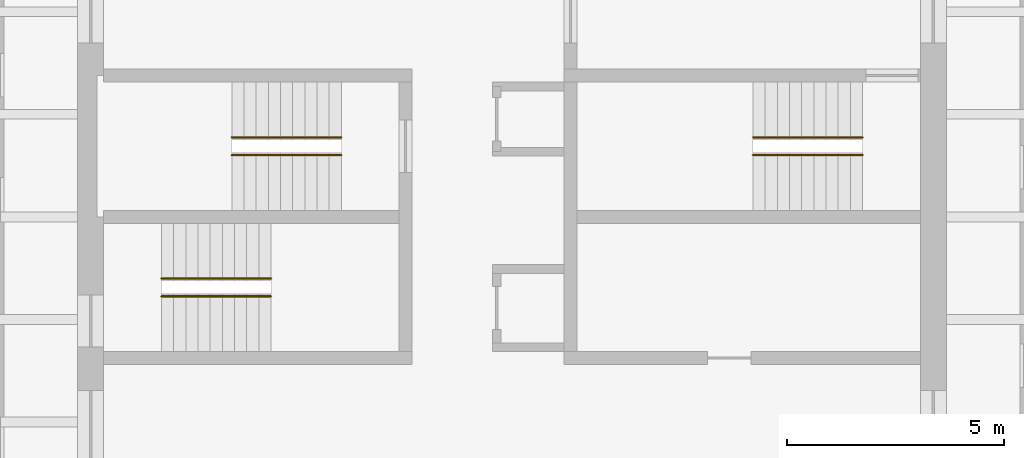
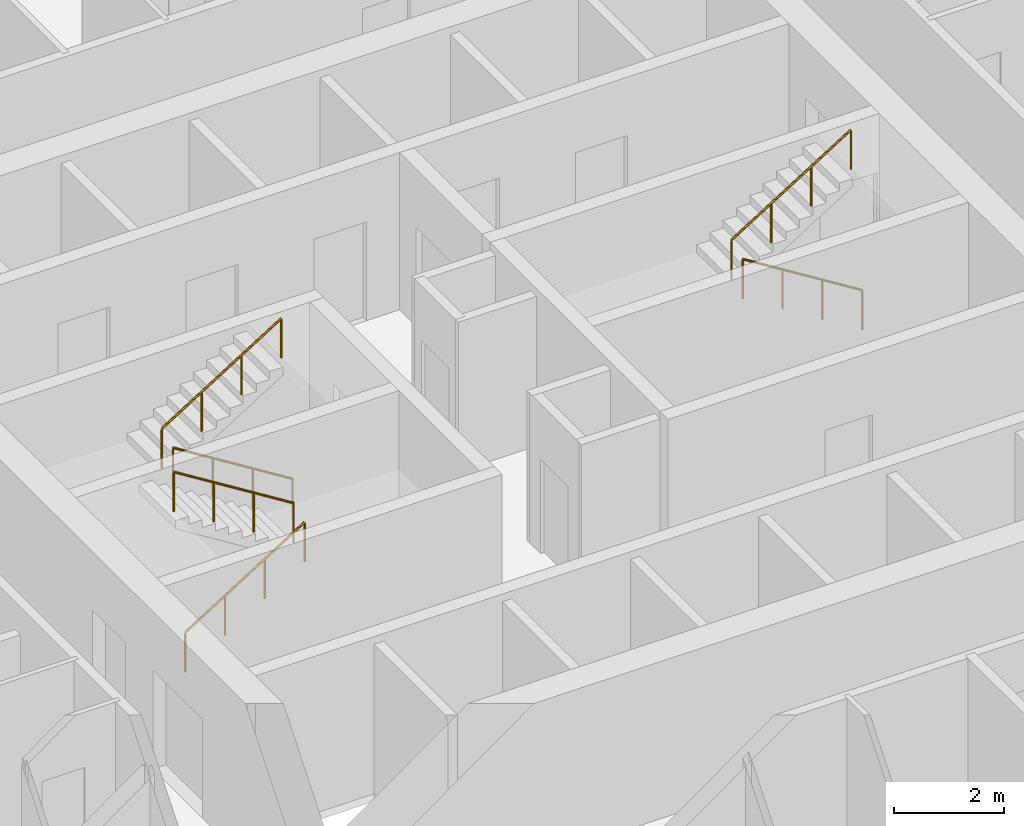
# One storey, part 10 of 10: 6 railings.
"""IFC4 building model written with IfcOpenShell, lengths in metres."""

import ifcopenshell
import ifcopenshell.guid

model = None  # the IFC model being written
_history = None  # IfcOwnerHistory: only IFC2X3 demands one
_inside = {}  # id of a spatial element -> (the spatial element, [elements in it])
_under = {}  # id of a project, library or spatial element -> (it, [spatial elements below it])
_declared = {}  # id of a project -> (the project, [libraries it declares])
_typed = {}  # id of a type object -> (the type object, [elements of that type])
_made_of = {}  # id of a material, layer set ... -> (it, [elements and type objects made of it])


def new_model(schema):
    """Start an empty IFC model of exactly this schema.

    Asked for "IFC4X3", IfcOpenShell would pick the latest addendum, in which some entities
    have other attributes; the version numbers below select the first issue.
    IFC2X3 requires an IfcOwnerHistory on every rooted entity: one is made here for all.
    """
    global model, _history
    if schema == "IFC4X3":
        model = ifcopenshell.file(schema_version=(4, 3, 0, 0))
    else:
        model = ifcopenshell.file(schema=schema)
    _inside.clear()
    _under.clear()
    _declared.clear()
    _typed.clear()
    _made_of.clear()
    _history = None
    if model.schema == "IFC2X3":
        org = make("IfcOrganization", Name="unknown")
        user = make(
            "IfcPersonAndOrganization",
            ThePerson=make("IfcPerson", FamilyName="unknown"),
            TheOrganization=org,
        )
        app = make(
            "IfcApplication",
            ApplicationDeveloper=org,
            Version="unknown",
            ApplicationFullName="unknown",
            ApplicationIdentifier="unknown",
        )
        _history = make(
            "IfcOwnerHistory",
            OwningUser=user,
            OwningApplication=app,
            ChangeAction="ADDED",
            CreationDate=0,
        )
    return model


def make(cls, **values):
    """One entity of the class cls with the attributes given. An attribute that is None is left unset."""
    return model.create_entity(
        cls, **{name: value for name, value in values.items() if value is not None}
    )


def rooted(cls, **values):
    """An entity with a GlobalId (a new one), such as an element, a storey or a relation."""
    return make(cls, GlobalId=ifcopenshell.guid.new(), OwnerHistory=_history, **values)


def si_unit(unit_type, name, prefix=None):
    """IfcSIUnit, for example si_unit("LENGTHUNIT", "METRE", prefix="MILLI")."""
    return make("IfcSIUnit", UnitType=unit_type, Prefix=prefix, Name=name)


def assignment(units):
    """IfcUnitAssignment: the units of a project."""
    return None if units is None else make("IfcUnitAssignment", Units=units)


def point(xyz):
    """IfcCartesianPoint."""
    return None if xyz is None else make("IfcCartesianPoint", Coordinates=xyz)


def direction(xyz):
    """IfcDirection."""
    return None if xyz is None else make("IfcDirection", DirectionRatios=xyz)


def frame(location, z_axis=None, x_axis=None):
    """IfcAxis2Placement3D, a coordinate frame: its origin and axes. An axis left out is left unset."""
    return make(
        "IfcAxis2Placement3D",
        Location=point(location),
        Axis=direction(z_axis),
        RefDirection=direction(x_axis),
    )


def frame_2d(location, x_axis=None):
    """IfcAxis2Placement2D, a coordinate frame in the plane: its origin and x axis."""
    return make(
        "IfcAxis2Placement2D", Location=point(location), RefDirection=direction(x_axis)
    )


def origin():
    """The frame at (0, 0, 0) with its axes left unset."""
    return frame((0.0, 0.0, 0.0))


def origin_2d():
    """The frame at (0, 0) in the plane with its x axis left unset."""
    return frame_2d((0.0, 0.0))


def place(relative_to, where):
    """IfcLocalPlacement: puts the frame where relative to a parent placement (None: the world)."""
    return make(
        "IfcLocalPlacement", PlacementRelTo=relative_to, RelativePlacement=where
    )


def context(
    kind, dimensions, precision=None, world=None, true_north=None, identifier=None
):
    """IfcGeometricRepresentationContext, for example the 3D "Model" context."""
    return make(
        "IfcGeometricRepresentationContext",
        ContextIdentifier=identifier,
        ContextType=kind,
        CoordinateSpaceDimension=dimensions,
        Precision=precision,
        WorldCoordinateSystem=world,
        TrueNorth=true_north,
    )


def subcontext(parent, identifier, kind, view, scale=None):
    """IfcGeometricRepresentationSubContext, for example "Body" below "Model"."""
    return make(
        "IfcGeometricRepresentationSubContext",
        ContextIdentifier=identifier,
        ContextType=kind,
        ParentContext=parent,
        TargetScale=scale,
        TargetView=view,
    )


def project(units=None, contexts=None):
    """IfcProject with its units and contexts."""
    return rooted(
        "IfcProject",
        Name="project",
        RepresentationContexts=contexts,
        UnitsInContext=assignment(units),
    )


def spatial(cls, under=None, at=None, **own):
    """A site, building, storey or space (cls), placed at a placement, below another one or the project."""
    s = rooted(cls, ObjectPlacement=at, **own)
    if under is not None:
        _under.setdefault(under.id(), (under, []))[1].append(s)
    return s


def profile(cls, at=None, kind="AREA", **sizes):
    """A parametric profile (cls). Its sizes go by their IFC names, for example OverallWidth=200.0."""
    return make(cls, ProfileType=kind, Position=at, **sizes)


def circle(**sizes):
    """IfcCircleProfileDef."""
    return profile("IfcCircleProfileDef", **sizes)


def extrude(swept, where, along, depth):
    """IfcExtrudedAreaSolid: the profile swept, set in the frame where, extruded along a direction by depth."""
    return make(
        "IfcExtrudedAreaSolid",
        SweptArea=swept,
        Position=where,
        ExtrudedDirection=direction(along),
        Depth=depth,
    )


def shape(context_of_items, identifier, shape_type, items):
    """IfcShapeRepresentation: the items that make up one representation, for example the "Body"."""
    return make(
        "IfcShapeRepresentation",
        ContextOfItems=context_of_items,
        RepresentationIdentifier=identifier,
        RepresentationType=shape_type,
        Items=items,
    )


def material(Name=None, Category=None):
    """IfcMaterial."""
    return make("IfcMaterial", Name=Name, Category=Category)


def made_of(thing, what):
    """Note that an element or type object is made of a material, layer set ...; save() writes the relation."""
    if what is not None:
        _made_of.setdefault(what.id(), (what, []))[1].append(thing)
    return thing


def type_object(cls, material=None, **own):
    """A type object (cls), such as IfcWallType, which elements share."""
    return made_of(rooted(cls, **own), material)


def element(
    cls,
    number,
    at=None,
    inside=None,
    cuts=None,
    type_object=None,
    material=None,
    context=None,
    identifier="Body",
    shape_type=None,
    held_by="IfcProductDefinitionShape",
    body=None,
    shapes=None,
    **own,
):
    """One element of the class cls, such as IfcWall. Its Tag is "e" and its number.

    at: its placement. inside: the storey or other place that contains it. cuts: it is an
    opening in that element (IfcRelVoidsElement). A single representation is given by context,
    identifier, shape_type and body (its items); several are given by shapes. held_by: the class
    of the entity that holds the representations. save() writes the other relations.
    """
    e = rooted(cls, Tag="e%d" % number, ObjectPlacement=at, **own)
    if body is not None:
        shapes = [shape(context, identifier, shape_type, body)]
    if shapes is not None:
        e.Representation = make(held_by, Representations=shapes)
    if inside is not None:
        _inside.setdefault(inside.id(), (inside, []))[1].append(e)
    if cuts is not None:
        rooted(
            "IfcRelVoidsElement", RelatingBuildingElement=cuts, RelatedOpeningElement=e
        )
    if type_object is not None:
        _typed.setdefault(type_object.id(), (type_object, []))[1].append(e)
    return made_of(e, material)


def aggregate(whole, parts):
    """IfcRelAggregates: a whole, such as a stair, and the parts it consists of."""
    return rooted("IfcRelAggregates", RelatingObject=whole, RelatedObjects=parts)


def save(model, path):
    """Write the relations noted so far, then the file.

    IfcRelAggregates (storeys below a building ...), IfcRelContainedInSpatialStructure (elements
    in a storey), IfcRelDefinesByType, IfcRelAssociatesMaterial and IfcRelDeclares: one each for
    every whole, place, type object, material and project.
    """
    for whole, parts in _under.values():
        aggregate(whole, parts)
    for where, things in _inside.values():
        rooted(
            "IfcRelContainedInSpatialStructure",
            RelatedElements=things,
            RelatingStructure=where,
        )
    for kind, things in _typed.values():
        rooted("IfcRelDefinesByType", RelatedObjects=things, RelatingType=kind)
    for what, things in _made_of.values():
        rooted("IfcRelAssociatesMaterial", RelatedObjects=things, RelatingMaterial=what)
    for by, libraries in _declared.values():
        rooted("IfcRelDeclares", RelatingContext=by, RelatedDefinitions=libraries)
    model.write(path)


model = new_model("IFC4")

# Units and contexts
model_context = context("Model", 3, precision=1e-05, world=origin(), true_north=direction((0.0, 1.0)))
body_context = subcontext(model_context, "Body", "Model", "MODEL_VIEW")
ifc_project = project(units=[si_unit("LENGTHUNIT", "METRE"), si_unit("AREAUNIT", "SQUARE_METRE"), si_unit("VOLUMEUNIT", "CUBIC_METRE"), si_unit("PLANEANGLEUNIT", "RADIAN"), si_unit("MASSUNIT", "GRAM", prefix="KILO")], contexts=[model_context])

# Site, building, storey
site_placement = place(None, origin())
site = spatial("IfcSite", under=ifc_project, at=site_placement, CompositionType="ELEMENT")
building_placement = place(site_placement, origin())
building = spatial("IfcBuilding", under=site, at=building_placement, Name="Turquesa Mirador Hotel Tower", CompositionType="ELEMENT")
storey_placement = place(building_placement, frame((0.0, 0.0, 32.0)))
storey = spatial("IfcBuildingStorey", under=building, at=storey_placement, Name="L07", CompositionType="ELEMENT", Elevation=32.0)

# Railings
ifc_material = material(Name="Painted steel handrail", Category="steel")
railing_type = type_object("IfcRailingType", Name="HANDRAIL 900 STEEL", PredefinedType="HANDRAIL", material=ifc_material)
railing_1_placement = place(storey_placement, frame((51.070068359375, 46.419921875, 0.175048828125)))
element("IfcRailing", 1, at=railing_1_placement, inside=storey, type_object=railing_type, Name="Handrail ST1", PredefinedType="HANDRAIL", context=body_context, shape_type="SweptSolid", body=[
    extrude(circle(Radius=0.02392578125, at=origin_2d()), frame((0.0, 0.0, 0.8759765625), z_axis=(-0.848007534815, 0.0, 0.529984170421), x_axis=(0.0, -1.0, 0.0)), (0.0, 0.0, 1.0), 2.9716796875),
    extrude(circle(Radius=0.02099609375, at=origin_2d()), origin(), (0.0, 0.0, 1.0), 0.851806640625),
    extrude(circle(Radius=0.02099609375, at=origin_2d()), frame((-0.840087890625, 0.0, 0.52490234375)), (0.0, 0.0, 1.0), 0.851806640625),
    extrude(circle(Radius=0.02099609375, at=origin_2d()), frame((-1.679931640625, 0.0, 1.050048828125)), (0.0, 0.0, 1.0), 0.851806640625),
    extrude(circle(Radius=0.02099609375, at=origin_2d()), frame((-2.52001953125, 0.0, 1.574951171875)), (0.0, 0.0, 1.0), 0.851806640625),
])
for number, where, name in (
    (2, (48.550048828125, 46.830078125, 1.925048828125), "Handrail ST1"),
    (3, (46.929931640625, 43.169921875, 0.175048828125), "Handrail ST2"),
):
    element("IfcRailing", number, at=place(storey_placement, frame(where)), inside=storey, type_object=railing_type, Name=name, PredefinedType="HANDRAIL", context=body_context, shape_type="SweptSolid", body=[
        extrude(circle(Radius=0.02392578125, at=origin_2d()), frame((0.0, 0.0, 0.8759765625), z_axis=(0.848007534815, 0.0, 0.529984170421), x_axis=(0.0, 1.0, 0.0)), (0.0, 0.0, 1.0), 2.9716796875),
        extrude(circle(Radius=0.02099609375, at=origin_2d()), origin(), (0.0, 0.0, 1.0), 0.851806640625),
        extrude(circle(Radius=0.02099609375, at=origin_2d()), frame((0.840087890625, 0.0, 0.52490234375)), (0.0, 0.0, 1.0), 0.851806640625),
        extrude(circle(Radius=0.02099609375, at=origin_2d()), frame((1.679931640625, 0.0, 1.050048828125)), (0.0, 0.0, 1.0), 0.851806640625),
        extrude(circle(Radius=0.02099609375, at=origin_2d()), frame((2.52001953125, 0.0, 1.574951171875)), (0.0, 0.0, 1.0), 0.851806640625),
    ])
for number, where, name in (
    (4, (49.449951171875, 43.580078125, 1.925048828125), "Handrail ST2"),
    (5, (63.070068359375, 46.419921875, 0.175048828125), "Handrail ST3"),
):
    element("IfcRailing", number, at=place(storey_placement, frame(where)), inside=storey, type_object=railing_type, Name=name, PredefinedType="HANDRAIL", context=body_context, shape_type="SweptSolid", body=[
        extrude(circle(Radius=0.02392578125, at=origin_2d()), frame((0.0, 0.0, 0.8759765625), z_axis=(-0.848007534815, 0.0, 0.529984170421), x_axis=(0.0, -1.0, 0.0)), (0.0, 0.0, 1.0), 2.9716796875),
        extrude(circle(Radius=0.02099609375, at=origin_2d()), origin(), (0.0, 0.0, 1.0), 0.851806640625),
        extrude(circle(Radius=0.02099609375, at=origin_2d()), frame((-0.840087890625, 0.0, 0.52490234375)), (0.0, 0.0, 1.0), 0.851806640625),
        extrude(circle(Radius=0.02099609375, at=origin_2d()), frame((-1.679931640625, 0.0, 1.050048828125)), (0.0, 0.0, 1.0), 0.851806640625),
        extrude(circle(Radius=0.02099609375, at=origin_2d()), frame((-2.52001953125, 0.0, 1.574951171875)), (0.0, 0.0, 1.0), 0.851806640625),
    ])
railing_2_placement = place(storey_placement, frame((60.550048828125, 46.830078125, 1.925048828125)))
element("IfcRailing", 6, at=railing_2_placement, inside=storey, type_object=railing_type, Name="Handrail ST3", PredefinedType="HANDRAIL", context=body_context, shape_type="SweptSolid", body=[
    extrude(circle(Radius=0.02392578125, at=origin_2d()), frame((0.0, 0.0, 0.8759765625), z_axis=(0.848007534815, 0.0, 0.529984170421), x_axis=(0.0, 1.0, 0.0)), (0.0, 0.0, 1.0), 2.9716796875),
    extrude(circle(Radius=0.02099609375, at=origin_2d()), origin(), (0.0, 0.0, 1.0), 0.851806640625),
    extrude(circle(Radius=0.02099609375, at=origin_2d()), frame((0.840087890625, 0.0, 0.52490234375)), (0.0, 0.0, 1.0), 0.851806640625),
    extrude(circle(Radius=0.02099609375, at=origin_2d()), frame((1.679931640625, 0.0, 1.050048828125)), (0.0, 0.0, 1.0), 0.851806640625),
    extrude(circle(Radius=0.02099609375, at=origin_2d()), frame((2.52001953125, 0.0, 1.574951171875)), (0.0, 0.0, 1.0), 0.851806640625),
])

save(model, "model.ifc")
